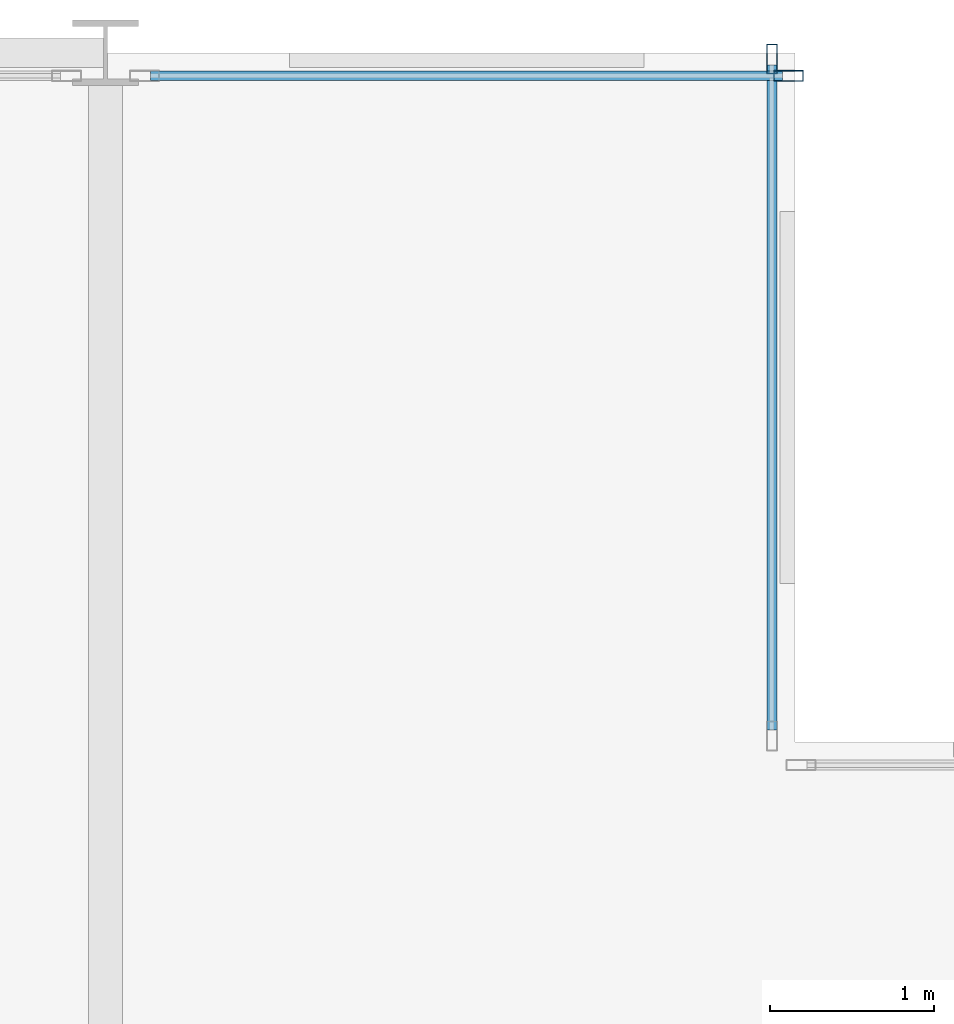
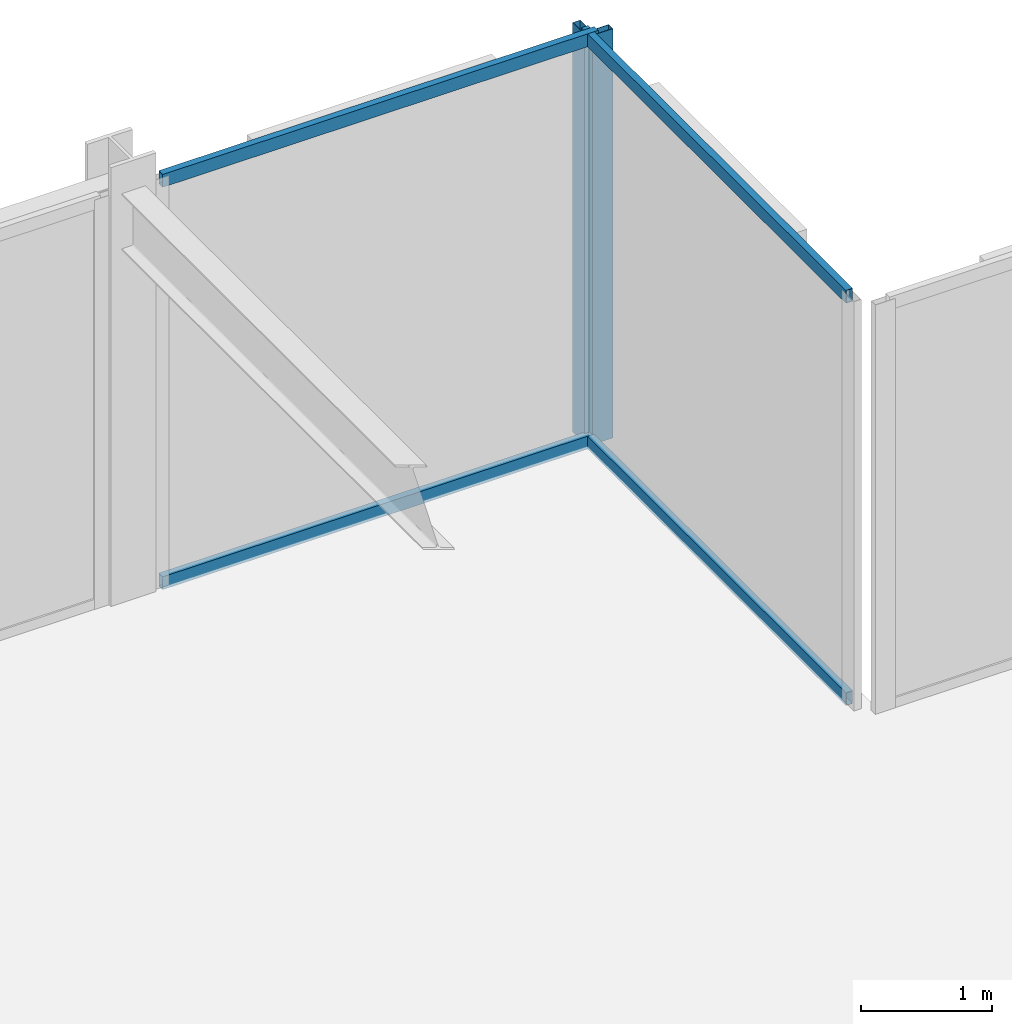
# One storey, part 22 of 29: 6 members, 2 elements without a shape of their own.
"""IFC4 building model written with IfcOpenShell, lengths in metres."""

from ifc_helpers import new_model, si_unit, direction, frame, origin, origin_2d, place, context, subcontext, project, spatial, hollow_rectangle, extrude, material, layer, layer_set, material_profile, profile_set, type_object, element, aggregate, save


model = new_model("IFC4")

# Units and contexts
model_context = context("Model", 3, precision=1e-05, world=origin(), true_north=direction((0.0, 1.0)))
body_context = subcontext(model_context, "Body", "Model", "MODEL_VIEW")
ifc_project = project(units=[si_unit("LENGTHUNIT", "METRE"), si_unit("AREAUNIT", "SQUARE_METRE"), si_unit("VOLUMEUNIT", "CUBIC_METRE"), si_unit("PLANEANGLEUNIT", "RADIAN"), si_unit("MASSUNIT", "GRAM", prefix="KILO")], contexts=[model_context])

# Site, building, storey
site_placement = place(None, origin())
site = spatial("IfcSite", under=ifc_project, at=site_placement, CompositionType="ELEMENT")
building_placement = place(site_placement, origin())
building = spatial("IfcBuilding", under=site, at=building_placement, Name="Nerrivon Quay Data Exchange", CompositionType="ELEMENT")
storey_placement = place(building_placement, frame((0.0, 0.0, 145.89990234375)))
storey = spatial("IfcBuildingStorey", under=building, at=storey_placement, Name="L34", CompositionType="ELEMENT", Elevation=145.89990234375)

# Curtain wall, member
ifc_material = material(Name="Anodised aluminium 6063-T6", Category="aluminium")
ifc_layer = layer(ifc_material, 0.2099609375)
ifc_layer_set = layer_set([ifc_layer], Name="Anodised aluminium 6063-T6")
curtain_wall_type = type_object("IfcCurtainWallType", Name="CW-SYS-02", PredefinedType="NOTDEFINED", material=ifc_layer_set)
curtain_wall_1_placement = place(storey_placement, origin())
curtain_wall_1 = element("IfcCurtainWall", 1, at=curtain_wall_1_placement, inside=storey, type_object=curtain_wall_type, Name="L34 Unitised Curtain Wall 20", PredefinedType="NOTDEFINED")
ifc_material_profile_1 = material_profile(ifc_material, hollow_rectangle(XDim=0.06494140625, YDim=0.179931640625, WallThickness=0.00341796875, at=origin_2d()), Name="ALU-MULL-180x65")
ifc_profile_set_1 = profile_set([ifc_material_profile_1], Name="Anodised aluminium 6063-T6")
member_type_1 = type_object("IfcMemberType", Name="CWM-180x65", PredefinedType="MULLION", material=ifc_profile_set_1)
member_1_placement = place(storey_placement, frame((20.96240234375, 50.260009765625, 0.0), z_axis=(0.0, 0.0, 1.0), x_axis=(0.0, 1.0, 0.0)))
member_1 = element("IfcMember", 2, at=member_1_placement, type_object=member_type_1, Name="CW02 mullion 2", PredefinedType="MULLION", context=body_context, shape_type="SweptSolid", body=[
    extrude(hollow_rectangle(XDim=0.06494140625, YDim=0.179931640625, WallThickness=0.00341796875, at=origin_2d()), origin(), (0.0, 0.0, 1.0), 3.8251953125),
])

curtain_wall_2_placement = place(storey_placement, origin())
curtain_wall_2 = element("IfcCurtainWall", 3, at=curtain_wall_2_placement, inside=storey, type_object=curtain_wall_type, Name="L34 Unitised Curtain Wall 21", PredefinedType="NOTDEFINED")
member_2_placement = place(storey_placement, frame((20.860107421875, 50.362548828125, 0.0), z_axis=(0.0, 0.0, 1.0), x_axis=(1.0, 0.0, 0.0)))
member_2 = element("IfcMember", 4, at=member_2_placement, type_object=member_type_1, Name="CW02 mullion 1", PredefinedType="MULLION", context=body_context, shape_type="SweptSolid", body=[
    extrude(hollow_rectangle(XDim=0.06494140625, YDim=0.179931640625, WallThickness=0.00341796875, at=origin_2d()), origin(), (0.0, 0.0, 1.0), 3.8251953125),
])

# Member
ifc_material_profile_2 = material_profile(ifc_material, hollow_rectangle(XDim=0.06005859375, YDim=0.1201171875, WallThickness=0.003173828125, at=origin_2d()), Name="ALU-TRAN-120x60")
ifc_profile_set_2 = profile_set([ifc_material_profile_2], Name="Anodised aluminium 6063-T6")
member_type_2 = type_object("IfcMemberType", Name="CWT-120x60", PredefinedType="USERDEFINED", material=ifc_profile_set_2)
member_3_placement = place(storey_placement, frame((17.074951171875, 50.260009765625, 0.03271484375), z_axis=(1.0, 0.0, 0.0), x_axis=(0.0, 1.0, 0.0)))
member_3 = element("IfcMember", 5, at=member_3_placement, type_object=member_type_2, Name="CW02 transom 1.1", ObjectType="TRANSOM", PredefinedType="USERDEFINED", context=body_context, shape_type="SweptSolid", body=[
    extrude(hollow_rectangle(XDim=0.06005859375, YDim=0.1201171875, WallThickness=0.003173828125, at=origin_2d()), origin(), (0.0, 0.0, 1.0), 3.85009765625),
])

member_4_placement = place(storey_placement, frame((17.074951171875, 50.260009765625, 3.79248046875), z_axis=(1.0, 0.0, 0.0), x_axis=(0.0, 1.0, 0.0)))
member_4 = element("IfcMember", 6, at=member_4_placement, type_object=member_type_2, Name="CW02 transom 1.2", ObjectType="TRANSOM", PredefinedType="USERDEFINED", context=body_context, shape_type="SweptSolid", body=[
    extrude(hollow_rectangle(XDim=0.06005859375, YDim=0.1201171875, WallThickness=0.003173828125, at=origin_2d()), origin(), (0.0, 0.0, 1.0), 3.85009765625),
])

aggregate(curtain_wall_1, [member_1, member_3, member_4])

member_5_placement = place(storey_placement, frame((20.860107421875, 50.324951171875, 0.03271484375), z_axis=(0.0, -1.0, 0.0), x_axis=(1.0, 0.0, 0.0)))
member_5 = element("IfcMember", 7, at=member_5_placement, type_object=member_type_2, Name="CW02 transom 1.1", ObjectType="TRANSOM", PredefinedType="USERDEFINED", context=body_context, shape_type="SweptSolid", body=[
    extrude(hollow_rectangle(XDim=0.06005859375, YDim=0.1201171875, WallThickness=0.003173828125, at=origin_2d()), origin(), (0.0, 0.0, 1.0), 4.050048828125),
])

member_6_placement = place(storey_placement, frame((20.860107421875, 50.324951171875, 3.79248046875), z_axis=(0.0, -1.0, 0.0), x_axis=(1.0, 0.0, 0.0)))
member_6 = element("IfcMember", 8, at=member_6_placement, type_object=member_type_2, Name="CW02 transom 1.2", ObjectType="TRANSOM", PredefinedType="USERDEFINED", context=body_context, shape_type="SweptSolid", body=[
    extrude(hollow_rectangle(XDim=0.06005859375, YDim=0.1201171875, WallThickness=0.003173828125, at=origin_2d()), origin(), (0.0, 0.0, 1.0), 4.050048828125),
])

aggregate(curtain_wall_2, [member_2, member_5, member_6])

save(model, "model.ifc")
